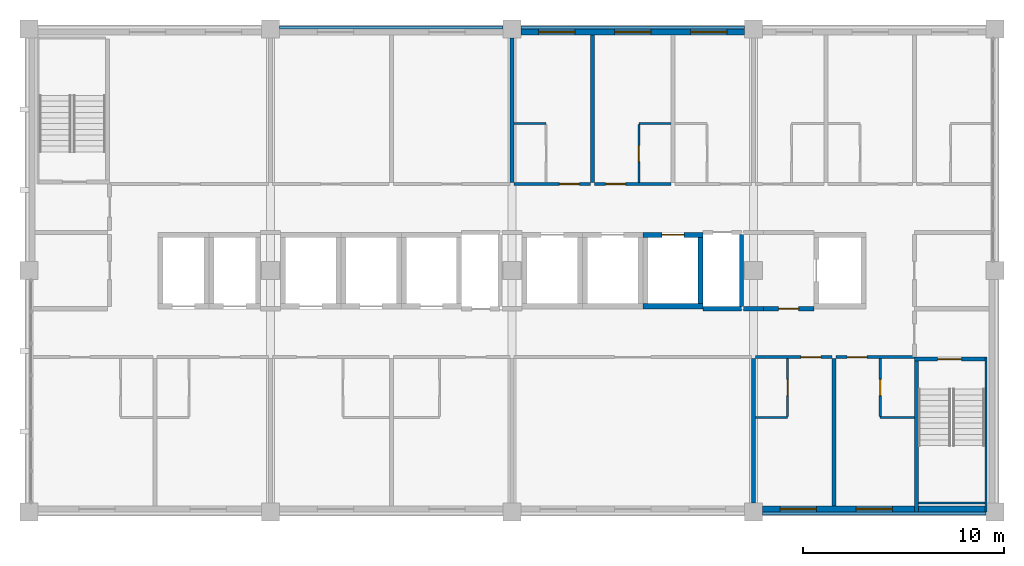
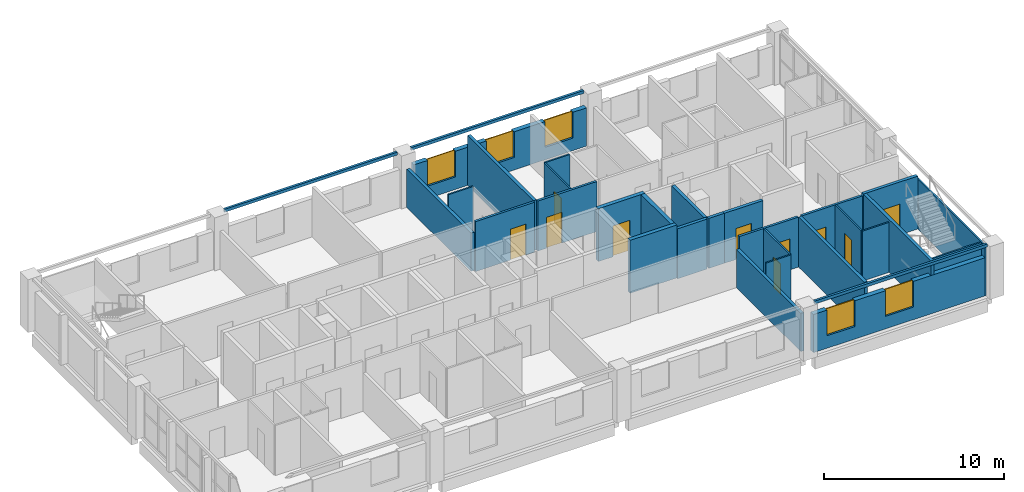
# One storey, part 8 of 11: 31 walls, 10 doors, 5 windows, 15 openings.
"""IFC4 building model written with IfcOpenShell, lengths in metres."""

from ifc_helpers import new_model, si_unit, direction, frame, frame_2d, origin, place, context, subcontext, project, spatial, rectangle, extrude, material, layer, layer_set, type_object, element, fill, save


model = new_model("IFC4")

# Units and contexts
model_context = context("Model", 3, precision=1e-05, world=origin(), true_north=direction((0.0, 1.0)))
body_context = subcontext(model_context, "Body", "Model", "MODEL_VIEW")
ifc_project = project(units=[si_unit("LENGTHUNIT", "METRE"), si_unit("AREAUNIT", "SQUARE_METRE"), si_unit("VOLUMEUNIT", "CUBIC_METRE"), si_unit("PLANEANGLEUNIT", "RADIAN"), si_unit("MASSUNIT", "GRAM", prefix="KILO")], contexts=[model_context])

# Site, building, storey
site_placement = place(None, origin())
site = spatial("IfcSite", under=ifc_project, at=site_placement, CompositionType="ELEMENT")
building_placement = place(site_placement, origin())
building = spatial("IfcBuilding", under=site, at=building_placement, Name="Lilac Gate Convention Centre", CompositionType="ELEMENT")
storey_placement = place(building_placement, frame((0.0, 0.0, 31.800048828125)))
storey = spatial("IfcBuildingStorey", under=building, at=storey_placement, Name="L07", CompositionType="ELEMENT", Elevation=31.800048828125)

# Walls
ifc_material_1 = material(Name="Concrete C50", Category="concrete")
ifc_layer_1 = layer(ifc_material_1, 0.10009765625)
ifc_layer_set_1 = layer_set([ifc_layer_1], Name="Concrete C50")
wall_type_1 = type_object("IfcWallType", Name="Core wall 100 C50", PredefinedType="SHEAR", material=ifc_layer_set_1)
wall_1_placement = place(storey_placement, frame((89.550048828125, 229.699951171875, 0.0), z_axis=(0.0, 0.0, 1.0), x_axis=(0.0, -1.0, 0.0)))
element("IfcWall", 1, at=wall_1_placement, inside=storey, type_object=wall_type_1, Name="CRW9 core wall TS-EX L07 1", PredefinedType="SHEAR", context=body_context, shape_type="SweptSolid", body=[
    extrude(rectangle(XDim=7.699951171875, YDim=0.10009765625, at=frame_2d((3.85009765625, 0.0))), origin(), (0.0, 0.0, 1.0), 3.39990234375),
])
wall_2_placement = place(storey_placement, frame((89.5, 222.449951171875, 0.0), z_axis=(0.0, 0.0, 1.0), x_axis=(-1.0, 0.0, 0.0)))
element("IfcWall", 2, at=wall_2_placement, inside=storey, type_object=wall_type_1, Name="CRW9 core wall TS-EX L07 2", PredefinedType="SHEAR", context=body_context, shape_type="SweptSolid", body=[
    extrude(rectangle(XDim=3.300048828125, YDim=0.10009765625, at=frame_2d((1.64990234375, 0.0))), origin(), (0.0, 0.0, 1.0), 3.39990234375),
])

# Wall, opening, door
ifc_layer_2 = layer(ifc_material_1, 0.199951171875)
ifc_layer_set_2 = layer_set([ifc_layer_2], Name="Concrete C50")
wall_type_2 = type_object("IfcWallType", Name="Core wall 200 C50", PredefinedType="SHEAR", material=ifc_layer_set_2)
wall_3_placement = place(storey_placement, frame((89.5, 229.60009765625, 0.0), z_axis=(0.0, 0.0, 1.0), x_axis=(-1.0, 0.0, 0.0)))
wall_3 = element("IfcWall", 3, at=wall_3_placement, inside=storey, type_object=wall_type_2, Name="CRW6 core wall TS-E L07 1", PredefinedType="SHEAR", context=body_context, shape_type="SweptSolid", body=[
    extrude(rectangle(XDim=3.5, YDim=0.199951171875, at=frame_2d((1.75, 0.0))), origin(), (0.0, 0.0, 1.0), 3.599853515625),
])
opening_1_placement = place(wall_3_placement, frame((1.14990234375, 0.0, 0.0)))
opening_1 = element("IfcOpeningElement", 4, at=opening_1_placement, cuts=wall_3, Name="Opening T07-046", PredefinedType="OPENING", context=body_context, shape_type="SweptSolid", body=[
    extrude(rectangle(XDim=1.199951171875, YDim=2.10009765625, at=frame_2d((0.60009765625, 1.050048828125))), frame((0.0, 0.10986328125, 0.0), z_axis=(0.0, -1.0, 0.0), x_axis=(1.0, 0.0, 0.0)), (0.0, 0.0, 1.0), 0.219970703125),
])
ifc_material_2 = material(Name="Steel Q235B", Category="steel")
door_type_1 = type_object("IfcDoorType", Name="Stair door 1200", OperationType="SINGLE_SWING_LEFT", PredefinedType="DOOR", material=ifc_material_2)
door_1_placement = place(opening_1_placement, origin())
door_1 = element("IfcDoor", 5, at=door_1_placement, inside=storey, type_object=door_type_1, Name="Stair door SE L07", OperationType="SINGLE_SWING_RIGHT", OverallHeight=2.10009765625, OverallWidth=1.199951171875, PredefinedType="DOOR", context=body_context, shape_type="SweptSolid", body=[
    extrude(rectangle(XDim=1.199951171875, YDim=2.10009765625, at=frame_2d((0.60009765625, 1.050048828125))), frame((0.0, 0.02490234375, 0.0), z_axis=(0.0, -1.0, 0.0), x_axis=(1.0, 0.0, 0.0)), (0.0, 0.0, 1.0), 0.050048828125),
])
fill(opening_1, door_1)

# Walls
wall_4_placement = place(storey_placement, frame((86.10009765625, 222.0, 0.0), z_axis=(0.0, 0.0, 1.0), x_axis=(0.0, 1.0, 0.0)))
element("IfcWall", 6, at=wall_4_placement, inside=storey, type_object=wall_type_2, Name="CRW6 core wall TS-E L07 2", PredefinedType="SHEAR", context=body_context, shape_type="SweptSolid", body=[
    extrude(rectangle(XDim=7.5, YDim=0.199951171875, at=frame_2d((3.75, 0.0))), origin(), (0.0, 0.0, 1.0), 3.599853515625),
])
ifc_layer_3 = layer(ifc_material_1, 0.25)
ifc_layer_set_3 = layer_set([ifc_layer_3], Name="Concrete C50")
wall_type_3 = type_object("IfcWallType", Name="Core wall 250 C50", PredefinedType="SHEAR", material=ifc_layer_set_3)
wall_5_placement = place(storey_placement, frame((72.5, 232.22509765625, 0.0), z_axis=(0.0, 0.0, 1.0), x_axis=(1.0, 0.0, 0.0)))
element("IfcWall", 7, at=wall_5_placement, inside=storey, type_object=wall_type_3, Name="CRW4 core wall TC L07 21", PredefinedType="SHEAR", context=body_context, shape_type="SweptSolid", body=[
    extrude(rectangle(XDim=3.0, YDim=0.25, at=frame_2d((1.5, 0.0))), origin(), (0.0, 0.0, 1.0), 3.599853515625),
])

# Wall, opening, door
wall_6_placement = place(storey_placement, frame((72.5, 235.77490234375, 0.0), z_axis=(0.0, 0.0, 1.0), x_axis=(1.0, 0.0, 0.0)))
wall_6 = element("IfcWall", 8, at=wall_6_placement, inside=storey, type_object=wall_type_3, Name="CRW4 core wall TC L07 22", PredefinedType="SHEAR", context=body_context, shape_type="SweptSolid", body=[
    extrude(rectangle(XDim=3.0, YDim=0.25, at=frame_2d((1.5, 0.0))), origin(), (0.0, 0.0, 1.0), 3.599853515625),
])
opening_2_placement = place(wall_6_placement, frame((0.949951171875, 0.0, 0.0)))
opening_2 = element("IfcOpeningElement", 9, at=opening_2_placement, cuts=wall_6, Name="Opening T07-041", PredefinedType="OPENING", context=body_context, shape_type="SweptSolid", body=[
    extrude(rectangle(XDim=1.10009765625, YDim=2.10009765625, at=frame_2d((0.550048828125, 1.050048828125))), frame((0.0, 0.135009765625, 0.0), z_axis=(0.0, -1.0, 0.0), x_axis=(1.0, 0.0, 0.0)), (0.0, 0.0, 1.0), 0.27001953125),
])
ifc_material_3 = material(Name="Stainless steel 304", Category="steel")
door_type_2 = type_object("IfcDoorType", Name="Lift landing door 1100", OperationType="SLIDING_TO_LEFT", PredefinedType="DOOR", material=ifc_material_3)
door_2_placement = place(opening_2_placement, origin())
door_2 = element("IfcDoor", 10, at=door_2_placement, inside=storey, type_object=door_type_2, Name="Lift landing door TP6 L07", OperationType="SLIDING_TO_LEFT", OverallHeight=2.10009765625, OverallWidth=1.10009765625, PredefinedType="DOOR", context=body_context, shape_type="SweptSolid", body=[
    extrude(rectangle(XDim=1.10009765625, YDim=2.10009765625, at=frame_2d((0.550048828125, 1.050048828125))), frame((0.0, 0.02490234375, 0.0), z_axis=(0.0, -1.0, 0.0), x_axis=(1.0, 0.0, 0.0)), (0.0, 0.0, 1.0), 0.050048828125),
])
fill(opening_2, door_2)

# Wall
wall_7_placement = place(storey_placement, frame((75.375, 232.35009765625, 0.0), z_axis=(0.0, 0.0, 1.0), x_axis=(0.0, 1.0, 0.0)))
element("IfcWall", 11, at=wall_7_placement, inside=storey, type_object=wall_type_3, Name="CRW4 core wall TC L07 24", PredefinedType="SHEAR", context=body_context, shape_type="SweptSolid", body=[
    extrude(rectangle(XDim=3.2998046875, YDim=0.25, at=frame_2d((1.64990234375, 0.0))), origin(), (0.0, 0.0, 1.0), 3.599853515625),
])

# Wall, opening, door
ifc_material_4 = material(Name="Gypsum board on steel stud", Category="steel")
ifc_layer_4 = layer(ifc_material_4, 0.14990234375)
ifc_layer_set_4 = layer_set([ifc_layer_4], Name="Gypsum board on steel stud")
wall_type_4 = type_object("IfcWallType", Name="Corridor wall 150", PredefinedType="PARTITIONING", material=ifc_layer_set_4)
wall_8_placement = place(storey_placement, frame((81.89990234375, 229.699951171875, 0.0), z_axis=(0.0, 0.0, 1.0), x_axis=(-1.0, 0.0, 0.0)))
wall_8 = element("IfcWall", 12, at=wall_8_placement, inside=storey, type_object=wall_type_4, Name="Corridor wall 150 front 0706", PredefinedType="PARTITIONING", context=body_context, shape_type="SweptSolid", body=[
    extrude(rectangle(XDim=3.7998046875, YDim=0.14990234375, at=frame_2d((1.89990234375, 0.0))), origin(), (0.0, 0.0, 1.0), 3.39990234375),
])
opening_3_placement = place(wall_8_placement, frame((0.550048828125, 0.0, 0.0)))
opening_3 = element("IfcOpeningElement", 13, at=opening_3_placement, cuts=wall_8, Name="Opening T07-017", PredefinedType="OPENING", context=body_context, shape_type="SweptSolid", body=[
    extrude(rectangle(XDim=1.0, YDim=2.10009765625, at=frame_2d((0.5, 1.050048828125))), frame((0.0, 0.0849609375, 0.0), z_axis=(0.0, -1.0, 0.0), x_axis=(1.0, 0.0, 0.0)), (0.0, 0.0, 1.0), 0.169921875),
])
ifc_material_5 = material(Name="Timber", Category="wood")
door_type_3 = type_object("IfcDoorType", Name="Guest room entrance door 1000", OperationType="SINGLE_SWING_LEFT", PredefinedType="DOOR", material=ifc_material_5)
door_3_placement = place(opening_3_placement, origin())
door_3 = element("IfcDoor", 14, at=door_3_placement, inside=storey, type_object=door_type_3, Name="Guest room door 0706", OperationType="SINGLE_SWING_LEFT", OverallHeight=2.10009765625, OverallWidth=1.0, PredefinedType="DOOR", context=body_context, shape_type="SweptSolid", body=[
    extrude(rectangle(XDim=1.0, YDim=2.10009765625, at=frame_2d((0.5, 1.050048828125))), frame((0.0, 0.02490234375, 0.0), z_axis=(0.0, -1.0, 0.0), x_axis=(1.0, 0.0, 0.0)), (0.0, 0.0, 1.0), 0.050048828125),
])
fill(opening_3, door_3)

wall_9_placement = place(storey_placement, frame((86.0, 229.699951171875, 0.0), z_axis=(0.0, 0.0, 1.0), x_axis=(-1.0, 0.0, 0.0)))
wall_9 = element("IfcWall", 15, at=wall_9_placement, inside=storey, type_object=wall_type_4, Name="Corridor wall 150 front 0707", PredefinedType="PARTITIONING", context=body_context, shape_type="SweptSolid", body=[
    extrude(rectangle(XDim=3.89990234375, YDim=0.14990234375, at=frame_2d((1.949951171875, 0.0))), origin(), (0.0, 0.0, 1.0), 3.39990234375),
])
opening_4_placement = place(wall_9_placement, frame((2.35009765625, 0.0, 0.0)))
opening_4 = element("IfcOpeningElement", 16, at=opening_4_placement, cuts=wall_9, Name="Opening T07-019", PredefinedType="OPENING", context=body_context, shape_type="SweptSolid", body=[
    extrude(rectangle(XDim=1.0, YDim=2.10009765625, at=frame_2d((0.5, 1.050048828125))), frame((0.0, 0.0849609375, 0.0), z_axis=(0.0, -1.0, 0.0), x_axis=(1.0, 0.0, 0.0)), (0.0, 0.0, 1.0), 0.169921875),
])
door_4_placement = place(opening_4_placement, origin())
door_4 = element("IfcDoor", 17, at=door_4_placement, inside=storey, type_object=door_type_3, Name="Guest room door 0707", OperationType="SINGLE_SWING_LEFT", OverallHeight=2.10009765625, OverallWidth=1.0, PredefinedType="DOOR", context=body_context, shape_type="SweptSolid", body=[
    extrude(rectangle(XDim=1.0, YDim=2.10009765625, at=frame_2d((0.5, 1.050048828125))), frame((0.0, 0.02490234375, 0.0), z_axis=(0.0, -1.0, 0.0), x_axis=(1.0, 0.0, 0.0)), (0.0, 0.0, 1.0), 0.050048828125),
])
fill(opening_4, door_4)

wall_10_placement = place(storey_placement, frame((66.10009765625, 238.300048828125, 0.0), z_axis=(0.0, 0.0, 1.0), x_axis=(1.0, 0.0, 0.0)))
wall_10 = element("IfcWall", 18, at=wall_10_placement, inside=storey, type_object=wall_type_4, Name="Corridor wall 150 front 0711", PredefinedType="PARTITIONING", context=body_context, shape_type="SweptSolid", body=[
    extrude(rectangle(XDim=3.7998046875, YDim=0.14990234375, at=frame_2d((1.89990234375, 0.0))), origin(), (0.0, 0.0, 1.0), 3.39990234375),
])
opening_5_placement = place(wall_10_placement, frame((2.25, 0.0, 0.0)))
opening_5 = element("IfcOpeningElement", 19, at=opening_5_placement, cuts=wall_10, Name="Opening T07-024", PredefinedType="OPENING", context=body_context, shape_type="SweptSolid", body=[
    extrude(rectangle(XDim=1.0, YDim=2.10009765625, at=frame_2d((0.5, 1.050048828125))), frame((0.0, 0.0849609375, 0.0), z_axis=(0.0, -1.0, 0.0), x_axis=(1.0, 0.0, 0.0)), (0.0, 0.0, 1.0), 0.169921875),
])
door_5_placement = place(opening_5_placement, origin())
door_5 = element("IfcDoor", 20, at=door_5_placement, inside=storey, type_object=door_type_3, Name="Guest room door 0711", OperationType="SINGLE_SWING_LEFT", OverallHeight=2.10009765625, OverallWidth=1.0, PredefinedType="DOOR", context=body_context, shape_type="SweptSolid", body=[
    extrude(rectangle(XDim=1.0, YDim=2.10009765625, at=frame_2d((0.5, 1.050048828125))), frame((0.0, 0.02490234375, 0.0), z_axis=(0.0, -1.0, 0.0), x_axis=(1.0, 0.0, 0.0)), (0.0, 0.0, 1.0), 0.050048828125),
])
fill(opening_5, door_5)

wall_11_placement = place(storey_placement, frame((70.10009765625, 238.300048828125, 0.0), z_axis=(0.0, 0.0, 1.0), x_axis=(1.0, 0.0, 0.0)))
wall_11 = element("IfcWall", 21, at=wall_11_placement, inside=storey, type_object=wall_type_4, Name="Corridor wall 150 front 0712", PredefinedType="PARTITIONING", context=body_context, shape_type="SweptSolid", body=[
    extrude(rectangle(XDim=3.7998046875, YDim=0.14990234375, at=frame_2d((1.89990234375, 0.0))), origin(), (0.0, 0.0, 1.0), 3.39990234375),
])
opening_6_placement = place(wall_11_placement, frame((0.550048828125, 0.0, 0.0)))
opening_6 = element("IfcOpeningElement", 22, at=opening_6_placement, cuts=wall_11, Name="Opening T07-026", PredefinedType="OPENING", context=body_context, shape_type="SweptSolid", body=[
    extrude(rectangle(XDim=1.0, YDim=2.10009765625, at=frame_2d((0.5, 1.050048828125))), frame((0.0, 0.0849609375, 0.0), z_axis=(0.0, -1.0, 0.0), x_axis=(1.0, 0.0, 0.0)), (0.0, 0.0, 1.0), 0.169921875),
])
door_6_placement = place(opening_6_placement, origin())
door_6 = element("IfcDoor", 23, at=door_6_placement, inside=storey, type_object=door_type_3, Name="Guest room door 0712", OperationType="SINGLE_SWING_LEFT", OverallHeight=2.10009765625, OverallWidth=1.0, PredefinedType="DOOR", context=body_context, shape_type="SweptSolid", body=[
    extrude(rectangle(XDim=1.0, YDim=2.10009765625, at=frame_2d((0.5, 1.050048828125))), frame((0.0, 0.02490234375, 0.0), z_axis=(0.0, -1.0, 0.0), x_axis=(1.0, 0.0, 0.0)), (0.0, 0.0, 1.0), 0.050048828125),
])
fill(opening_6, door_6)

# Wall
ifc_layer_5 = layer(ifc_material_4, 0.10009765625)
ifc_layer_set_5 = layer_set([ifc_layer_5], Name="Gypsum board on steel stud")
wall_type_5 = type_object("IfcWallType", Name="En-suite wall 100", PredefinedType="PARTITIONING", material=ifc_layer_set_5)
wall_12_placement = place(storey_placement, frame((78.10009765625, 226.699951171875, 0.0), z_axis=(0.0, 0.0, 1.0), x_axis=(1.0, 0.0, 0.0)))
element("IfcWall", 24, at=wall_12_placement, inside=storey, type_object=wall_type_5, Name="En-suite wall 100 bath 0706", PredefinedType="PARTITIONING", context=body_context, shape_type="SweptSolid", body=[
    extrude(rectangle(XDim=1.599853515625, YDim=0.10009765625, at=frame_2d((0.7998046875, 0.0))), origin(), (0.0, 0.0, 1.0), 3.39990234375),
])

# Wall, opening, door
wall_13_placement = place(storey_placement, frame((79.699951171875, 229.625, 0.0), z_axis=(0.0, 0.0, 1.0), x_axis=(0.0, -1.0, 0.0)))
wall_13 = element("IfcWall", 25, at=wall_13_placement, inside=storey, type_object=wall_type_5, Name="En-suite wall 100 bath side 0706", PredefinedType="PARTITIONING", context=body_context, shape_type="SweptSolid", body=[
    extrude(rectangle(XDim=2.875, YDim=0.10009765625, at=frame_2d((1.4375, 0.0))), origin(), (0.0, 0.0, 1.0), 3.39990234375),
])
opening_7_placement = place(wall_13_placement, frame((1.03759765625, 0.0, 0.0)))
opening_7 = element("IfcOpeningElement", 26, at=opening_7_placement, cuts=wall_13, Name="Opening T07-018", PredefinedType="OPENING", context=body_context, shape_type="SweptSolid", body=[
    extrude(rectangle(XDim=0.800048828125, YDim=2.10009765625, at=frame_2d((0.39990234375, 1.050048828125))), frame((0.0, 0.06005859375, 0.0), z_axis=(0.0, -1.0, 0.0), x_axis=(1.0, 0.0, 0.0)), (0.0, 0.0, 1.0), 0.1201171875),
])
door_type_4 = type_object("IfcDoorType", Name="En-suite door 800", OperationType="SINGLE_SWING_LEFT", PredefinedType="DOOR", material=ifc_material_5)
door_7_placement = place(opening_7_placement, origin())
door_7 = element("IfcDoor", 27, at=door_7_placement, inside=storey, type_object=door_type_4, Name="En-suite door 0706", OperationType="SINGLE_SWING_LEFT", OverallHeight=2.10009765625, OverallWidth=0.800048828125, PredefinedType="DOOR", context=body_context, shape_type="SweptSolid", body=[
    extrude(rectangle(XDim=0.800048828125, YDim=2.10009765625, at=frame_2d((0.39990234375, 1.050048828125))), frame((0.0, 0.02490234375, 0.0), z_axis=(0.0, -1.0, 0.0), x_axis=(1.0, 0.0, 0.0)), (0.0, 0.0, 1.0), 0.050048828125),
])
fill(opening_7, door_7)

# Wall
wall_14_placement = place(storey_placement, frame((84.300048828125, 226.699951171875, 0.0), z_axis=(0.0, 0.0, 1.0), x_axis=(1.0, 0.0, 0.0)))
element("IfcWall", 28, at=wall_14_placement, inside=storey, type_object=wall_type_5, Name="En-suite wall 100 bath 0707", PredefinedType="PARTITIONING", context=body_context, shape_type="SweptSolid", body=[
    extrude(rectangle(XDim=1.699951171875, YDim=0.10009765625, at=frame_2d((0.85009765625, 0.0))), origin(), (0.0, 0.0, 1.0), 3.39990234375),
])

# Wall, opening, door
wall_15_placement = place(storey_placement, frame((84.300048828125, 226.75, 0.0), z_axis=(0.0, 0.0, 1.0), x_axis=(0.0, 1.0, 0.0)))
wall_15 = element("IfcWall", 29, at=wall_15_placement, inside=storey, type_object=wall_type_5, Name="En-suite wall 100 bath side 0707", PredefinedType="PARTITIONING", context=body_context, shape_type="SweptSolid", body=[
    extrude(rectangle(XDim=2.875, YDim=0.10009765625, at=frame_2d((1.4375, 0.0))), origin(), (0.0, 0.0, 1.0), 3.39990234375),
])
opening_8_placement = place(wall_15_placement, frame((1.03759765625, 0.0, 0.0)))
opening_8 = element("IfcOpeningElement", 30, at=opening_8_placement, cuts=wall_15, Name="Opening T07-020", PredefinedType="OPENING", context=body_context, shape_type="SweptSolid", body=[
    extrude(rectangle(XDim=0.800048828125, YDim=2.10009765625, at=frame_2d((0.39990234375, 1.050048828125))), frame((0.0, 0.06005859375, 0.0), z_axis=(0.0, -1.0, 0.0), x_axis=(1.0, 0.0, 0.0)), (0.0, 0.0, 1.0), 0.1201171875),
])
door_8_placement = place(opening_8_placement, origin())
door_8 = element("IfcDoor", 31, at=door_8_placement, inside=storey, type_object=door_type_4, Name="En-suite door 0707", OperationType="SINGLE_SWING_RIGHT", OverallHeight=2.10009765625, OverallWidth=0.800048828125, PredefinedType="DOOR", context=body_context, shape_type="SweptSolid", body=[
    extrude(rectangle(XDim=0.800048828125, YDim=2.10009765625, at=frame_2d((0.39990234375, 1.050048828125))), frame((0.0, 0.02490234375, 0.0), z_axis=(0.0, -1.0, 0.0), x_axis=(1.0, 0.0, 0.0)), (0.0, 0.0, 1.0), 0.050048828125),
])
fill(opening_8, door_8)

# Walls
for number, where, z_axis, x_axis, name in (
    (32, (66.10009765625, 241.300048828125, 0.0), (0.0, 0.0, 1.0), (1.0, 0.0, 0.0), "En-suite wall 100 bath 0711"),
    (33, (72.300048828125, 241.300048828125, 0.0), (0.0, 0.0, 1.0), (1.0, 0.0, 0.0), "En-suite wall 100 bath 0712"),
):
    element("IfcWall", number, at=place(storey_placement, frame(where, z_axis=z_axis, x_axis=x_axis)), inside=storey, type_object=wall_type_5, Name=name, PredefinedType="PARTITIONING", context=body_context, shape_type="SweptSolid", body=[
        extrude(rectangle(XDim=1.599853515625, YDim=0.10009765625, at=frame_2d((0.7998046875, 0.0))), origin(), (0.0, 0.0, 1.0), 3.39990234375),
    ])

# Wall, opening, door
wall_16_placement = place(storey_placement, frame((72.300048828125, 238.375, 0.0), z_axis=(0.0, 0.0, 1.0), x_axis=(0.0, 1.0, 0.0)))
wall_16 = element("IfcWall", 34, at=wall_16_placement, inside=storey, type_object=wall_type_5, Name="En-suite wall 100 bath side 0712", PredefinedType="PARTITIONING", context=body_context, shape_type="SweptSolid", body=[
    extrude(rectangle(XDim=2.875, YDim=0.10009765625, at=frame_2d((1.4375, 0.0))), origin(), (0.0, 0.0, 1.0), 3.39990234375),
])
opening_9_placement = place(wall_16_placement, frame((1.03759765625, 0.0, 0.0)))
opening_9 = element("IfcOpeningElement", 35, at=opening_9_placement, cuts=wall_16, Name="Opening T07-027", PredefinedType="OPENING", context=body_context, shape_type="SweptSolid", body=[
    extrude(rectangle(XDim=0.800048828125, YDim=2.10009765625, at=frame_2d((0.39990234375, 1.050048828125))), frame((0.0, 0.06005859375, 0.0), z_axis=(0.0, -1.0, 0.0), x_axis=(1.0, 0.0, 0.0)), (0.0, 0.0, 1.0), 0.1201171875),
])
door_9_placement = place(opening_9_placement, origin())
door_9 = element("IfcDoor", 36, at=door_9_placement, inside=storey, type_object=door_type_4, Name="En-suite door 0712", OperationType="SINGLE_SWING_LEFT", OverallHeight=2.10009765625, OverallWidth=0.800048828125, PredefinedType="DOOR", context=body_context, shape_type="SweptSolid", body=[
    extrude(rectangle(XDim=0.800048828125, YDim=2.10009765625, at=frame_2d((0.39990234375, 1.050048828125))), frame((0.0, 0.02490234375, 0.0), z_axis=(0.0, -1.0, 0.0), x_axis=(1.0, 0.0, 0.0)), (0.0, 0.0, 1.0), 0.050048828125),
])
fill(opening_9, door_9)

# Walls
ifc_layer_6 = layer(ifc_material_4, 0.199951171875)
ifc_layer_set_6 = layer_set([ifc_layer_6], Name="Gypsum board on steel stud")
wall_type_6 = type_object("IfcWallType", Name="Guest room party wall 200", PredefinedType="PARTITIONING", material=ifc_layer_set_6)
wall_17_placement = place(storey_placement, frame((78.0, 222.449951171875, 0.0), z_axis=(0.0, 0.0, 1.0), x_axis=(0.0, 1.0, 0.0)))
element("IfcWall", 37, at=wall_17_placement, inside=storey, type_object=wall_type_6, Name="Guest room party wall 200 party 78.0", PredefinedType="PARTITIONING", context=body_context, shape_type="SweptSolid", body=[
    extrude(rectangle(XDim=7.175048828125, YDim=0.199951171875, at=frame_2d((3.58740234375, 0.0))), origin(), (0.0, 0.0, 1.0), 2.599853515625),
])
wall_18_placement = place(storey_placement, frame((82.0, 222.2998046875, 0.0), z_axis=(0.0, 0.0, 1.0), x_axis=(0.0, 1.0, 0.0)))
element("IfcWall", 38, at=wall_18_placement, inside=storey, type_object=wall_type_6, Name="Guest room party wall 200 party 82.0", PredefinedType="PARTITIONING", context=body_context, shape_type="SweptSolid", body=[
    extrude(rectangle(XDim=7.3251953125, YDim=0.199951171875, at=frame_2d((3.66259765625, 0.0))), origin(), (0.0, 0.0, 1.0), 3.39990234375),
])
wall_19_placement = place(storey_placement, frame((66.0, 245.550048828125, 0.0), z_axis=(0.0, 0.0, 1.0), x_axis=(0.0, -1.0, 0.0)))
element("IfcWall", 39, at=wall_19_placement, inside=storey, type_object=wall_type_6, Name="Guest room party wall 200 party 66.0", PredefinedType="PARTITIONING", context=body_context, shape_type="SweptSolid", body=[
    extrude(rectangle(XDim=7.175048828125, YDim=0.199951171875, at=frame_2d((3.58740234375, 0.0))), origin(), (0.0, 0.0, 1.0), 2.599853515625),
])
wall_20_placement = place(storey_placement, frame((70.0, 245.7001953125, 0.0), z_axis=(0.0, 0.0, 1.0), x_axis=(0.0, -1.0, 0.0)))
element("IfcWall", 40, at=wall_20_placement, inside=storey, type_object=wall_type_6, Name="Guest room party wall 200 party 70.0", PredefinedType="PARTITIONING", context=body_context, shape_type="SweptSolid", body=[
    extrude(rectangle(XDim=7.3251953125, YDim=0.199951171875, at=frame_2d((3.66259765625, 0.0))), origin(), (0.0, 0.0, 1.0), 3.39990234375),
])

# Wall, opening, door
ifc_layer_7 = layer(ifc_material_4, 0.199951171875)
ifc_layer_set_7 = layer_set([ifc_layer_7], Name="Gypsum board on steel stud")
wall_type_7 = type_object("IfcWallType", Name="Lobby wall 200", PredefinedType="PARTITIONING", material=ifc_layer_set_7)
wall_21_placement = place(storey_placement, frame((78.5, 232.10009765625, 0.0), z_axis=(0.0, 0.0, 1.0), x_axis=(1.0, 0.0, 0.0)))
wall_21 = element("IfcWall", 41, at=wall_21_placement, inside=storey, type_object=wall_type_7, Name="Lobby wall 200 FFL-S", PredefinedType="PARTITIONING", context=body_context, shape_type="SweptSolid", body=[
    extrude(rectangle(XDim=2.5, YDim=0.199951171875, at=frame_2d((1.25, 0.0))), origin(), (0.0, 0.0, 1.0), 3.39990234375),
])
opening_10_placement = place(wall_21_placement, frame((0.75, 0.0, 0.0)))
opening_10 = element("IfcOpeningElement", 42, at=opening_10_placement, cuts=wall_21, Name="Opening T07-004", PredefinedType="OPENING", context=body_context, shape_type="SweptSolid", body=[
    extrude(rectangle(XDim=1.0, YDim=2.10009765625, at=frame_2d((0.5, 1.050048828125))), frame((0.0, 0.10986328125, 0.0), z_axis=(0.0, -1.0, 0.0), x_axis=(1.0, 0.0, 0.0)), (0.0, 0.0, 1.0), 0.219970703125),
])
door_type_5 = type_object("IfcDoorType", Name="Lobby door 1000", OperationType="SINGLE_SWING_LEFT", PredefinedType="DOOR", material=ifc_material_2)
door_10_placement = place(opening_10_placement, origin())
door_10 = element("IfcDoor", 43, at=door_10_placement, inside=storey, type_object=door_type_5, Name="Firefighting lobby door", OperationType="SINGLE_SWING_RIGHT", OverallHeight=2.10009765625, OverallWidth=1.0, PredefinedType="DOOR", context=body_context, shape_type="SweptSolid", body=[
    extrude(rectangle(XDim=1.0, YDim=2.10009765625, at=frame_2d((0.5, 1.050048828125))), frame((0.0, 0.02490234375, 0.0), z_axis=(0.0, -1.0, 0.0), x_axis=(1.0, 0.0, 0.0)), (0.0, 0.0, 1.0), 0.050048828125),
])
fill(opening_10, door_10)

# Walls
ifc_material_6 = material(Name="Concrete C40 precast", Category="concrete")
ifc_layer_8 = layer(ifc_material_6, 0.1298828125)
ifc_material_7 = material(Name="Terracotta glazed cladding", Category="masonry")
ifc_layer_9 = layer(ifc_material_7, 0.02001953125)
ifc_layer_set_8 = layer_set([ifc_layer_8, ifc_layer_9], Name="Concrete C40 precast, Terracotta glazed cladding")
wall_type_8 = type_object("IfcWallType", Name="Precast band terracotta 150", PredefinedType="STANDARD", material=ifc_layer_set_8)
for number, where, z_axis, x_axis, name in (
    (44, (78.449951171875, 221.925048828125, 3.39990234375), (0.0, 0.0, 1.0), (1.0, 0.0, 0.0), "Precast band S L07 4"),
    (45, (77.550048828125, 246.074951171875, 3.39990234375), (0.0, 0.0, 1.0), (-1.0, 0.0, 0.0), "Precast band N L07 2"),
    (46, (65.550048828125, 246.074951171875, 3.39990234375), (0.0, 0.0, 1.0), (-1.0, 0.0, 0.0), "Precast band N L07 3"),
):
    element("IfcWall", number, at=place(storey_placement, frame(where, z_axis=z_axis, x_axis=x_axis)), inside=storey, type_object=wall_type_8, Name=name, PredefinedType="STANDARD", context=body_context, shape_type="SweptSolid", body=[
        extrude(rectangle(XDim=11.10009765625, YDim=0.14990234375, at=frame_2d((5.550048828125, 0.0))), origin(), (0.0, 0.0, 1.0), 0.199951171875),
    ])

# Wall, openings, windows
ifc_layer_10 = layer(ifc_material_7, 0.02001953125)
ifc_layer_11 = layer(ifc_material_6, 0.06005859375)
ifc_material_8 = material(Name="Ventilated air cavity")
ifc_layer_12 = layer(ifc_material_8, 0.030029296875)
ifc_material_9 = material(Name="Mineral wool insulation")
ifc_layer_13 = layer(ifc_material_9, 0.1201171875)
ifc_material_10 = material(Name="Steel stud Q345 and gypsum lining", Category="steel")
ifc_layer_14 = layer(ifc_material_10, 0.070068359375)
ifc_layer_set_9 = layer_set([ifc_layer_10, ifc_layer_11, ifc_layer_12, ifc_layer_13, ifc_layer_14], Name="Terracotta glazed cladding, Concrete C40 precast, Ventilated air cavity, Mineral wool insulation, Steel stud Q345 and gypsum lining")
wall_type_9 = type_object("IfcWallType", Name="Precast panel wall terracotta 300", PredefinedType="STANDARD", material=ifc_layer_set_9)
wall_22_placement = place(storey_placement, frame((78.449951171875, 222.14990234375, 0.0), z_axis=(0.0, 0.0, 1.0), x_axis=(1.0, 0.0, 0.0)))
wall_22 = element("IfcWall", 47, at=wall_22_placement, inside=storey, type_object=wall_type_9, Name="External wall S L07 4", PredefinedType="STANDARD", context=body_context, shape_type="SweptSolid", body=[
    extrude(rectangle(XDim=11.10009765625, YDim=0.300048828125, at=frame_2d((5.550048828125, 0.0))), origin(), (0.0, 0.0, 1.0), 2.599853515625),
])
opening_11_placement = place(wall_22_placement, frame((0.875, 0.0, 0.85009765625)))
opening_11 = element("IfcOpeningElement", 48, at=opening_11_placement, cuts=wall_22, Name="Opening W1", PredefinedType="OPENING", context=body_context, shape_type="SweptSolid", body=[
    extrude(rectangle(XDim=1.800048828125, YDim=1.75, at=frame_2d((0.89990234375, 0.875))), frame((0.0, 0.159912109375, 0.0), z_axis=(0.0, -1.0, 0.0), x_axis=(1.0, 0.0, 0.0)), (0.0, 0.0, 1.0), 0.320068359375),
])
opening_12_placement = place(wall_22_placement, frame((4.64990234375, 0.0, 0.85009765625)))
opening_12 = element("IfcOpeningElement", 49, at=opening_12_placement, cuts=wall_22, Name="Opening W1", PredefinedType="OPENING", context=body_context, shape_type="SweptSolid", body=[
    extrude(rectangle(XDim=1.800048828125, YDim=1.75, at=frame_2d((0.89990234375, 0.875))), frame((0.0, 0.159912109375, 0.0), z_axis=(0.0, -1.0, 0.0), x_axis=(1.0, 0.0, 0.0)), (0.0, 0.0, 1.0), 0.320068359375),
])
ifc_material_11 = material(Name="Aluminium framed double glazing", Category="aluminium")
window_type = type_object("IfcWindowType", Name="Guest room window 1800 x 1750", PartitioningType="DOUBLE_PANEL_VERTICAL", PredefinedType="WINDOW", material=ifc_material_11)
window_1_placement = place(opening_11_placement, origin())
window_1 = element("IfcWindow", 50, at=window_1_placement, inside=storey, type_object=window_type, Name="Window Guest S L07", OverallHeight=1.75, OverallWidth=1.800048828125, PartitioningType="SINGLE_PANEL", PredefinedType="WINDOW", context=body_context, shape_type="SweptSolid", body=[
    extrude(rectangle(XDim=1.800048828125, YDim=1.75, at=frame_2d((0.89990234375, 0.875))), frame((0.0, 0.030029296875, 0.0), z_axis=(0.0, -1.0, 0.0), x_axis=(1.0, 0.0, 0.0)), (0.0, 0.0, 1.0), 0.06005859375),
])
fill(opening_11, window_1)
window_2_placement = place(opening_12_placement, origin())
window_2 = element("IfcWindow", 51, at=window_2_placement, inside=storey, type_object=window_type, Name="Window Guest S L07", OverallHeight=1.75, OverallWidth=1.800048828125, PartitioningType="SINGLE_PANEL", PredefinedType="WINDOW", context=body_context, shape_type="SweptSolid", body=[
    extrude(rectangle(XDim=1.800048828125, YDim=1.75, at=frame_2d((0.89990234375, 0.875))), frame((0.0, 0.030029296875, 0.0), z_axis=(0.0, -1.0, 0.0), x_axis=(1.0, 0.0, 0.0)), (0.0, 0.0, 1.0), 0.06005859375),
])
fill(opening_12, window_2)

wall_23_placement = place(storey_placement, frame((77.550048828125, 245.85009765625, 0.0), z_axis=(0.0, 0.0, 1.0), x_axis=(-1.0, 0.0, 0.0)))
wall_23 = element("IfcWall", 52, at=wall_23_placement, inside=storey, type_object=wall_type_9, Name="External wall N L07 2", PredefinedType="STANDARD", context=body_context, shape_type="SweptSolid", body=[
    extrude(rectangle(XDim=11.10009765625, YDim=0.300048828125, at=frame_2d((5.550048828125, 0.0))), origin(), (0.0, 0.0, 1.0), 2.599853515625),
])
opening_13_placement = place(wall_23_placement, frame((8.425048828125, 0.0, 0.85009765625)))
opening_13 = element("IfcOpeningElement", 53, at=opening_13_placement, cuts=wall_23, Name="Opening W1", PredefinedType="OPENING", context=body_context, shape_type="SweptSolid", body=[
    extrude(rectangle(XDim=1.800048828125, YDim=1.75, at=frame_2d((0.89990234375, 0.875))), frame((0.0, 0.159912109375, 0.0), z_axis=(0.0, -1.0, 0.0), x_axis=(1.0, 0.0, 0.0)), (0.0, 0.0, 1.0), 0.320068359375),
])
opening_14_placement = place(wall_23_placement, frame((4.64990234375, 0.0, 0.85009765625)))
opening_14 = element("IfcOpeningElement", 54, at=opening_14_placement, cuts=wall_23, Name="Opening W1", PredefinedType="OPENING", context=body_context, shape_type="SweptSolid", body=[
    extrude(rectangle(XDim=1.800048828125, YDim=1.75, at=frame_2d((0.89990234375, 0.875))), frame((0.0, 0.159912109375, 0.0), z_axis=(0.0, -1.0, 0.0), x_axis=(1.0, 0.0, 0.0)), (0.0, 0.0, 1.0), 0.320068359375),
])
opening_15_placement = place(wall_23_placement, frame((0.875, 0.0, 0.85009765625)))
opening_15 = element("IfcOpeningElement", 55, at=opening_15_placement, cuts=wall_23, Name="Opening W1", PredefinedType="OPENING", context=body_context, shape_type="SweptSolid", body=[
    extrude(rectangle(XDim=1.800048828125, YDim=1.75, at=frame_2d((0.89990234375, 0.875))), frame((0.0, 0.159912109375, 0.0), z_axis=(0.0, -1.0, 0.0), x_axis=(1.0, 0.0, 0.0)), (0.0, 0.0, 1.0), 0.320068359375),
])
window_3_placement = place(opening_13_placement, origin())
window_3 = element("IfcWindow", 56, at=window_3_placement, inside=storey, type_object=window_type, Name="Window Guest N L07", OverallHeight=1.75, OverallWidth=1.800048828125, PartitioningType="SINGLE_PANEL", PredefinedType="WINDOW", context=body_context, shape_type="SweptSolid", body=[
    extrude(rectangle(XDim=1.800048828125, YDim=1.75, at=frame_2d((0.89990234375, 0.875))), frame((0.0, 0.030029296875, 0.0), z_axis=(0.0, -1.0, 0.0), x_axis=(1.0, 0.0, 0.0)), (0.0, 0.0, 1.0), 0.06005859375),
])
fill(opening_13, window_3)
window_4_placement = place(opening_14_placement, origin())
window_4 = element("IfcWindow", 57, at=window_4_placement, inside=storey, type_object=window_type, Name="Window Guest N L07", OverallHeight=1.75, OverallWidth=1.800048828125, PartitioningType="SINGLE_PANEL", PredefinedType="WINDOW", context=body_context, shape_type="SweptSolid", body=[
    extrude(rectangle(XDim=1.800048828125, YDim=1.75, at=frame_2d((0.89990234375, 0.875))), frame((0.0, 0.030029296875, 0.0), z_axis=(0.0, -1.0, 0.0), x_axis=(1.0, 0.0, 0.0)), (0.0, 0.0, 1.0), 0.06005859375),
])
fill(opening_14, window_4)
window_5_placement = place(opening_15_placement, origin())
window_5 = element("IfcWindow", 58, at=window_5_placement, inside=storey, type_object=window_type, Name="Window Guest N L07", OverallHeight=1.75, OverallWidth=1.800048828125, PartitioningType="SINGLE_PANEL", PredefinedType="WINDOW", context=body_context, shape_type="SweptSolid", body=[
    extrude(rectangle(XDim=1.800048828125, YDim=1.75, at=frame_2d((0.89990234375, 0.875))), frame((0.0, 0.030029296875, 0.0), z_axis=(0.0, -1.0, 0.0), x_axis=(1.0, 0.0, 0.0)), (0.0, 0.0, 1.0), 0.06005859375),
])
fill(opening_15, window_5)

# Walls
ifc_layer_15 = layer(ifc_material_4, 0.199951171875)
ifc_layer_set_10 = layer_set([ifc_layer_15], Name="Gypsum board on steel stud")
wall_type_10 = type_object("IfcWallType", Name="Riser and store wall 200", PredefinedType="PARTITIONING", material=ifc_layer_set_10)
wall_24_placement = place(storey_placement, frame((75.5, 232.10009765625, 0.0), z_axis=(0.0, 0.0, 1.0), x_axis=(1.0, 0.0, 0.0)))
element("IfcWall", 59, at=wall_24_placement, inside=storey, type_object=wall_type_10, Name="Riser and store wall 200 RS2-S", PredefinedType="PARTITIONING", context=body_context, shape_type="SweptSolid", body=[
    extrude(rectangle(XDim=1.89990234375, YDim=0.199951171875, at=frame_2d((0.949951171875, 0.0))), origin(), (0.0, 0.0, 1.0), 3.39990234375),
])
wall_25_placement = place(storey_placement, frame((77.5, 232.10009765625, 0.0), z_axis=(0.0, 0.0, 1.0), x_axis=(1.0, 0.0, 0.0)))
element("IfcWall", 60, at=wall_25_placement, inside=storey, type_object=wall_type_10, Name="Riser and store wall 200 NICHE3-S", PredefinedType="PARTITIONING", context=body_context, shape_type="SweptSolid", body=[
    extrude(rectangle(XDim=1.0, YDim=0.199951171875, at=frame_2d((0.5, 0.0))), origin(), (0.0, 0.0, 1.0), 3.39990234375),
])
wall_26_placement = place(storey_placement, frame((77.39990234375, 232.199951171875, 0.0), z_axis=(0.0, 0.0, 1.0), x_axis=(0.0, 1.0, 0.0)))
element("IfcWall", 61, at=wall_26_placement, inside=storey, type_object=wall_type_10, Name="Riser and store wall 200 RS2-E", PredefinedType="PARTITIONING", context=body_context, shape_type="SweptSolid", body=[
    extrude(rectangle(XDim=3.60009765625, YDim=0.199951171875, at=frame_2d((1.800048828125, 0.0))), origin(), (0.0, 0.0, 1.0), 3.39990234375),
])

save(model, "model.ifc")
